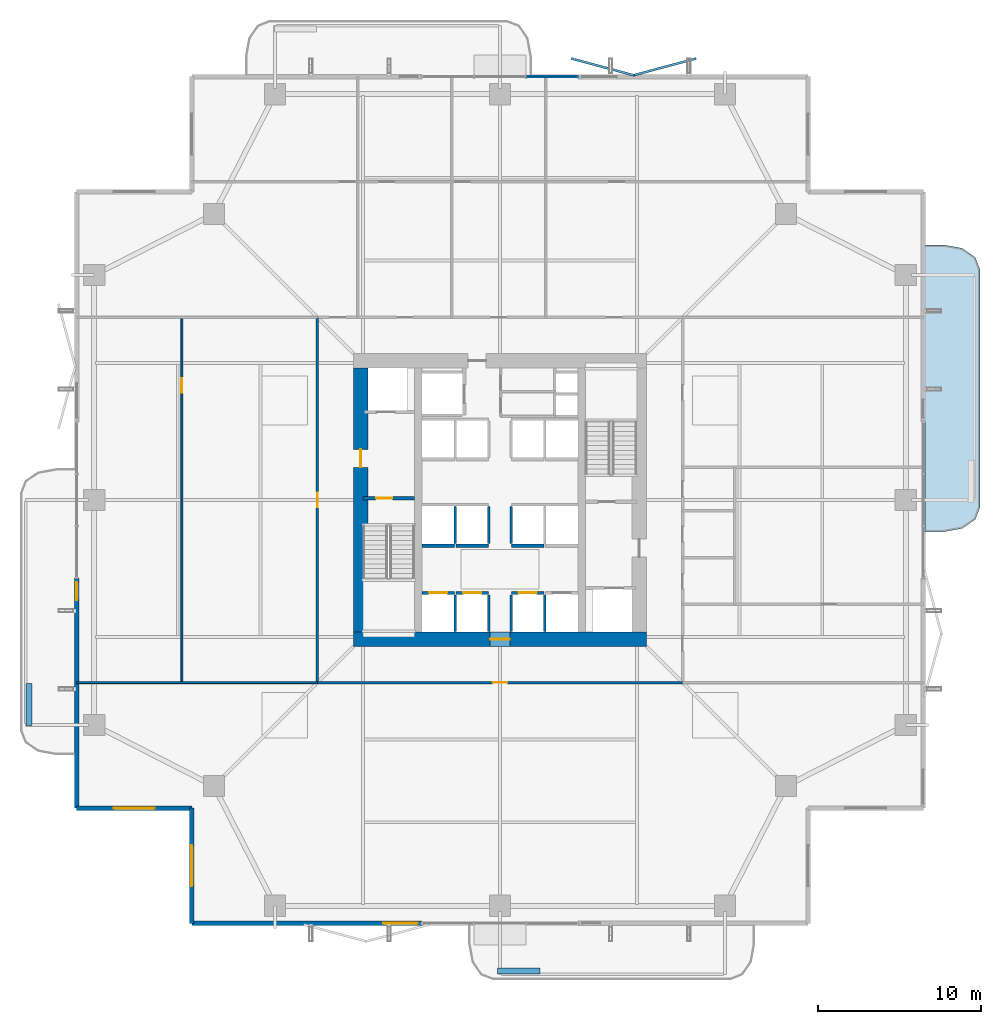
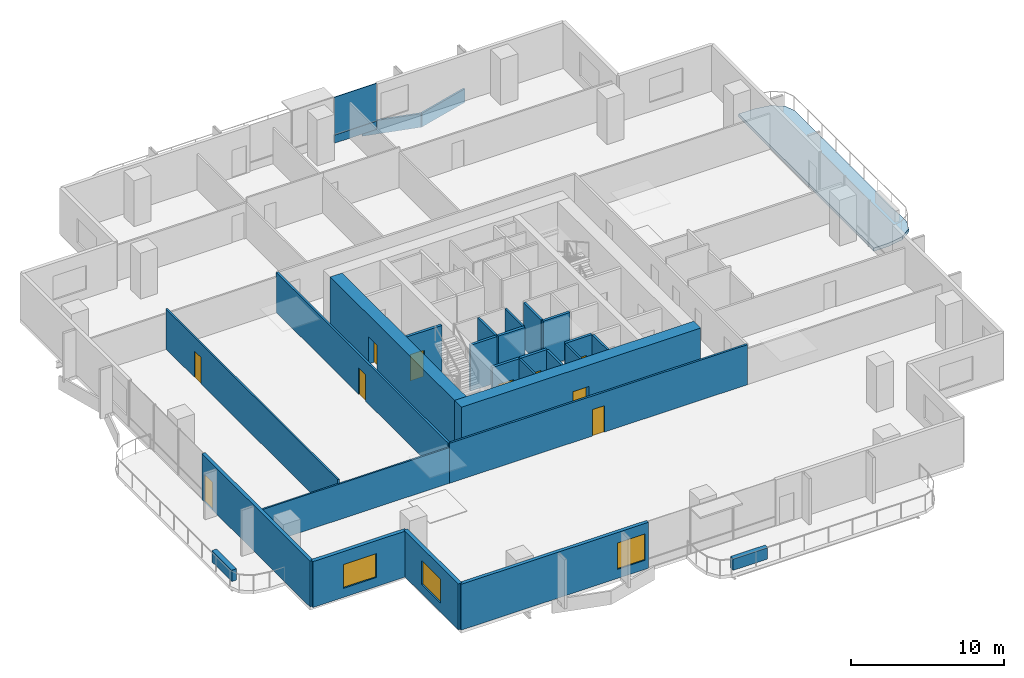
# One storey, part 17 of 24: 26 walls, 10 doors, 4 plates, 3 windows, 1 slab, 13 openings, 1 element without a shape of its own.
"""IFC4 building model written with IfcOpenShell, lengths in metres."""

from ifc_helpers import new_model, si_unit, direction, frame, frame_2d, origin, origin_2d, place, context, subcontext, project, spatial, polyline, rectangle, outline, extrude, material, layer, layer_set, type_object, element, fill, aggregate, save


model = new_model("IFC4")

# Units and contexts
model_context = context("Model", 3, precision=1e-05, world=origin(), true_north=direction((0.0, 1.0)))
body_context = subcontext(model_context, "Body", "Model", "MODEL_VIEW")
ifc_project = project(units=[si_unit("LENGTHUNIT", "METRE"), si_unit("AREAUNIT", "SQUARE_METRE"), si_unit("VOLUMEUNIT", "CUBIC_METRE"), si_unit("PLANEANGLEUNIT", "RADIAN"), si_unit("MASSUNIT", "GRAM", prefix="KILO")], contexts=[model_context])

# Site, building, storey
site_placement = place(None, origin())
site = spatial("IfcSite", under=ifc_project, at=site_placement, CompositionType="ELEMENT")
building_placement = place(site_placement, origin())
building = spatial("IfcBuilding", under=site, at=building_placement, Name="Belovzor Exchange Tower", CompositionType="ELEMENT")
storey_placement = place(building_placement, frame((0.0, 0.0, 129.0)))
storey = spatial("IfcBuildingStorey", under=building, at=storey_placement, Name="L31", CompositionType="ELEMENT", Elevation=129.0)

# Curtain wall, plate
ifc_material_1 = material(Name="Anodised Aluminium Framing", Category="aluminium")
ifc_layer_1 = layer(ifc_material_1, 0.179931640625)
ifc_layer_set_1 = layer_set([ifc_layer_1], Name="Anodised Aluminium Framing")
curtain_wall_type = type_object("IfcCurtainWallType", Name="Recessed Loggia Low-Iron Triple-Glazed Curtain Wall", PredefinedType="NOTDEFINED", material=ifc_layer_set_1)
curtain_wall_placement = place(storey_placement, origin())
curtain_wall = element("IfcCurtainWall", 1, at=curtain_wall_placement, inside=storey, type_object=curtain_wall_type, Name="CW3 Recessed Loggia Low-Iron Triple-Glazed Curtain Wall L31", PredefinedType="NOTDEFINED")
ifc_material_2 = material(Name="Solar-Control Triple Glazing", Category="glass")
ifc_layer_2 = layer(ifc_material_2, 0.0439453125)
ifc_layer_set_2 = layer_set([ifc_layer_2], Name="Solar-Control Triple Glazing")
plate_type_1 = type_object("IfcPlateType", Name="Insulated Solar Glazing Curtain Panel 44", PredefinedType="CURTAIN_PANEL", material=ifc_layer_set_2)
plate_1_placement = place(storey_placement, frame((32.0, 54.77001953125, 0.65185546875), z_axis=(0.0, 0.0, 1.0), x_axis=(1.0, 0.0, 0.0)))
plate_1 = element("IfcPlate", 2, at=plate_1_placement, type_object=plate_type_1, Name="GLZ-44 Glazed Curtain Panel 3", PredefinedType="CURTAIN_PANEL", context=body_context, shape_type="SweptSolid", body=[
    extrude(rectangle(XDim=3.18408203125, YDim=0.0439453125, at=origin_2d()), origin(), (0.0, 0.0, 1.0), 2.998046875),
])

# Plates
ifc_material_3 = material(Name="Extruded Architectural Terracotta", Category="masonry")
ifc_layer_3 = layer(ifc_material_3, 0.139892578125)
ifc_layer_set_3 = layer_set([ifc_layer_3], Name="Extruded Architectural Terracotta")
plate_type_2 = type_object("IfcPlateType", Name="Mid-Tower Folded Zigzag Terracotta Spandrel Louvre 120", PredefinedType="USERDEFINED", material=ifc_layer_set_3)
for number, where, z_axis, x_axis, name in (
    (3, (35.10009765625, 55.3701171875, -1.06494140625), (0.0, 0.0, 1.0), (0.965812803231, -0.259240485101, 0.0), "LVR-ZZ2 Zigzag Terracotta Spandrel Louvre L31 N2A"),
    (4, (38.89990234375, 55.3701171875, -1.06494140625), (0.0, 0.0, 1.0), (0.965812803231, 0.259240485101, 0.0), "LVR-ZZ2 Zigzag Terracotta Spandrel Louvre L31 N2B"),
):
    element("IfcPlate", number, at=place(storey_placement, frame(where, z_axis=z_axis, x_axis=x_axis)), inside=storey, type_object=plate_type_2, Name=name, ObjectType="SPANDREL_LOUVRE", PredefinedType="USERDEFINED", context=body_context, shape_type="SweptSolid", body=[
        extrude(rectangle(XDim=4.014892578125, YDim=0.139892578125, at=origin_2d()), origin(), (0.0, 0.0, 1.0), 1.080078125),
    ])

# Plate
ifc_material_4 = material(Name="Extruded Architectural Terracotta", Category="masonry")
ifc_layer_4 = layer(ifc_material_4, 0.090087890625)
ifc_layer_set_4 = layer_set([ifc_layer_4], Name="Extruded Architectural Terracotta")
plate_type_3 = type_object("IfcPlateType", Name="Terracotta Shadow-Box Spandrel Panel 90", PredefinedType="CURTAIN_PANEL", material=ifc_layer_set_4)
plate_2_placement = place(storey_placement, frame((32.0, 54.77001953125, 0.0), z_axis=(0.0, 0.0, 1.0), x_axis=(1.0, 0.0, 0.0)))
plate_2 = element("IfcPlate", 5, at=plate_2_placement, type_object=plate_type_3, Name="SPD-90 Spandrel Panel 3", PredefinedType="CURTAIN_PANEL", context=body_context, shape_type="SweptSolid", body=[
    extrude(rectangle(XDim=3.18408203125, YDim=0.090087890625, at=origin_2d()), origin(), (0.0, 0.0, 1.0), 0.64794921875),
])

aggregate(curtain_wall, [plate_2, plate_1])

# Slab
ifc_material_5 = material(Name="Concrete C40/50", Category="concrete")
ifc_layer_5 = layer(ifc_material_5, 0.25)
ifc_layer_set_5 = layer_set([ifc_layer_5], Name="Concrete C40/50")
slab_type = type_object("IfcSlabType", Name="Thermally Broken Planted Balcony Slab 250", PredefinedType="FLOOR", material=ifc_layer_set_5)
slab_placement = place(storey_placement, frame((0.0, 0.0, -0.25)))
element("IfcSlab", 6, at=slab_placement, inside=storey, type_object=slab_type, Name="SL-BAL220 Planted Balcony Loggia L31 East", PredefinedType="FLOOR", context=body_context, shape_type="SweptSolid", body=[
    extrude(outline(polyline([(54.885009765625, 26.85009765625), (56.050048828125, 26.85009765625), (57.14990234375, 27.051025390625), (57.955078125, 27.60009765625), (58.25, 28.35009765625), (58.25, 42.949951171875), (57.955078125, 43.699951171875), (57.14990234375, 44.2490234375), (56.050048828125, 44.449951171875), (54.885009765625, 44.449951171875), (54.885009765625, 26.85009765625)])), origin(), (0.0, 0.0, 1.0), 0.25),
])

# Wall
ifc_material_6 = material(Name="Acoustic Plasterboard on Galvanised Studs", Category="gypsum")
ifc_layer_6 = layer(ifc_material_6, 0.1201171875)
ifc_layer_set_6 = layer_set([ifc_layer_6], Name="Acoustic Plasterboard on Galvanised Studs")
wall_type_1 = type_object("IfcWallType", Name="Acoustic Double-Stud Partition Wall 120", PredefinedType="PARTITIONING", material=ifc_layer_set_6)
wall_1_placement = place(storey_placement, frame((2.830078125, 17.60009765625, 0.0), z_axis=(0.0, 0.0, 1.0), x_axis=(1.0, 0.0, 0.0)))
element("IfcWall", 7, at=wall_1_placement, inside=storey, type_object=wall_type_1, Name="W-P120 Partition Wall W-L31-END-SW", PredefinedType="PARTITIONING", context=body_context, shape_type="SweptSolid", body=[
    extrude(rectangle(XDim=14.77001953125, YDim=0.1201171875, at=frame_2d((7.385009765625, 0.0))), origin(), (0.0, 0.0, 1.0), 2.8349609375),
])

# Wall, opening, door
wall_2_placement = place(storey_placement, frame((9.280029296875, 17.60009765625, 0.0), z_axis=(0.0, 0.0, 1.0), x_axis=(0.0, 1.0, 0.0)))
wall_2 = element("IfcWall", 8, at=wall_2_placement, inside=storey, type_object=wall_type_1, Name="W-P120 Partition Wall W-L31-WHDIV-0", PredefinedType="PARTITIONING", context=body_context, shape_type="SweptSolid", body=[
    extrude(rectangle(XDim=22.39990234375, YDim=0.1201171875, at=frame_2d((11.199951171875, 0.0))), origin(), (0.0, 0.0, 1.0), 3.18505859375),
])
opening_1_placement = place(wall_2_placement, frame((17.782958984375, 0.0, 0.0)))
opening_1 = element("IfcOpeningElement", 9, at=opening_1_placement, cuts=wall_2, Name="Opening D-INT-090", PredefinedType="OPENING", context=body_context, shape_type="SweptSolid", body=[
    extrude(rectangle(XDim=0.89990234375, YDim=2.10009765625, at=frame_2d((0.449951171875, 1.050048828125))), frame((0.0, 0.070068359375, 0.0), z_axis=(0.0, -1.0, 0.0), x_axis=(1.0, 0.0, 0.0)), (0.0, 0.0, 1.0), 0.14013671875),
])
ifc_material_7 = material(Name="Veneered Hardwood Acoustic Leaf", Category="wood")
door_type_1 = type_object("IfcDoorType", Name="Trading Suite Acoustic Single Door 900x2100", OperationType="NOTDEFINED", PredefinedType="DOOR", material=ifc_material_7)
door_1_placement = place(opening_1_placement, origin())
door_1 = element("IfcDoor", 10, at=door_1_placement, inside=storey, type_object=door_type_1, Name="D-INT-090 Trading Suite Acoustic Single Door 900x2100", OperationType="SINGLE_SWING_LEFT", OverallHeight=2.10009765625, OverallWidth=0.89990234375, PredefinedType="DOOR", context=body_context, shape_type="SweptSolid", body=[
    extrude(rectangle(XDim=0.89990234375, YDim=2.10009765625, at=frame_2d((0.449951171875, 1.050048828125))), frame((0.0, 0.02490234375, 0.0), z_axis=(0.0, -1.0, 0.0), x_axis=(1.0, 0.0, 0.0)), (0.0, 0.0, 1.0), 0.050048828125),
])
fill(opening_1, door_1)

ifc_material_8 = material(Name="Fire-Rated Gypsum Block and Mineral Wool", Category="gypsum")
ifc_layer_7 = layer(ifc_material_8, 0.14990234375)
ifc_layer_set_7 = layer_set([ifc_layer_7], Name="Fire-Rated Gypsum Block and Mineral Wool")
wall_type_2 = type_object("IfcWallType", Name="Fire-Rated Gypsum Block Corridor Wall 150", PredefinedType="PARTITIONING", material=ifc_layer_set_7)
wall_3_placement = place(storey_placement, frame((17.60009765625, 17.60009765625, 0.0), z_axis=(0.0, 0.0, 1.0), x_axis=(1.0, 0.0, 0.0)))
wall_3 = element("IfcWall", 11, at=wall_3_placement, inside=storey, type_object=wall_type_2, Name="W-P150 Partition Wall W-L31-CS", PredefinedType="PARTITIONING", context=body_context, shape_type="SweptSolid", body=[
    extrude(rectangle(XDim=22.39990234375, YDim=0.14990234375, at=frame_2d((11.199951171875, 0.0))), origin(), (0.0, 0.0, 1.0), 3.18505859375),
])
opening_2_placement = place(wall_3_placement, frame((10.75, 0.0, 0.0)))
opening_2 = element("IfcOpeningElement", 12, at=opening_2_placement, cuts=wall_3, Name="Opening D-INT-090", PredefinedType="OPENING", context=body_context, shape_type="SweptSolid", body=[
    extrude(rectangle(XDim=0.89990234375, YDim=2.10009765625, at=frame_2d((0.449951171875, 1.050048828125))), frame((0.0, 0.0849609375, 0.0), z_axis=(0.0, -1.0, 0.0), x_axis=(1.0, 0.0, 0.0)), (0.0, 0.0, 1.0), 0.169921875),
])
door_2_placement = place(opening_2_placement, origin())
door_2 = element("IfcDoor", 13, at=door_2_placement, inside=storey, type_object=door_type_1, Name="D-INT-090 Trading Suite Acoustic Single Door 900x2100", OperationType="SINGLE_SWING_LEFT", OverallHeight=2.10009765625, OverallWidth=0.89990234375, PredefinedType="DOOR", context=body_context, shape_type="SweptSolid", body=[
    extrude(rectangle(XDim=0.89990234375, YDim=2.10009765625, at=frame_2d((0.449951171875, 1.050048828125))), frame((0.0, 0.02490234375, 0.0), z_axis=(0.0, -1.0, 0.0), x_axis=(1.0, 0.0, 0.0)), (0.0, 0.0, 1.0), 0.050048828125),
])
fill(opening_2, door_2)

wall_4_placement = place(storey_placement, frame((17.60009765625, 17.60009765625, 0.0), z_axis=(0.0, 0.0, 1.0), x_axis=(0.0, 1.0, 0.0)))
wall_4 = element("IfcWall", 14, at=wall_4_placement, inside=storey, type_object=wall_type_2, Name="W-P150 Partition Wall W-L31-CW", PredefinedType="PARTITIONING", context=body_context, shape_type="SweptSolid", body=[
    extrude(rectangle(XDim=22.39990234375, YDim=0.14990234375, at=frame_2d((11.199951171875, 0.0))), origin(), (0.0, 0.0, 1.0), 3.18505859375),
])
opening_3_placement = place(wall_4_placement, frame((10.75, 0.0, 0.0)))
opening_3 = element("IfcOpeningElement", 15, at=opening_3_placement, cuts=wall_4, Name="Opening D-INT-090", PredefinedType="OPENING", context=body_context, shape_type="SweptSolid", body=[
    extrude(rectangle(XDim=0.89990234375, YDim=2.10009765625, at=frame_2d((0.449951171875, 1.050048828125))), frame((0.0, 0.0849609375, 0.0), z_axis=(0.0, -1.0, 0.0), x_axis=(1.0, 0.0, 0.0)), (0.0, 0.0, 1.0), 0.169921875),
])
door_3_placement = place(opening_3_placement, origin())
door_3 = element("IfcDoor", 16, at=door_3_placement, inside=storey, type_object=door_type_1, Name="D-INT-090 Trading Suite Acoustic Single Door 900x2100", OperationType="SINGLE_SWING_LEFT", OverallHeight=2.10009765625, OverallWidth=0.89990234375, PredefinedType="DOOR", context=body_context, shape_type="SweptSolid", body=[
    extrude(rectangle(XDim=0.89990234375, YDim=2.10009765625, at=frame_2d((0.449951171875, 1.050048828125))), frame((0.0, 0.02490234375, 0.0), z_axis=(0.0, -1.0, 0.0), x_axis=(1.0, 0.0, 0.0)), (0.0, 0.0, 1.0), 0.050048828125),
])
fill(opening_3, door_3)

# Wall, opening, window
ifc_material_9 = material(Name="Precast concrete C40/50", Category="concrete")
ifc_layer_8 = layer(ifc_material_9, 0.280029296875)
ifc_layer_set_8 = layer_set([ifc_layer_8], Name="Precast concrete C40/50")
wall_type_3 = type_object("IfcWallType", Name="Precast Concrete Notched Corner Frame Wall 280", PredefinedType="SOLIDWALL", material=ifc_layer_set_8)
wall_5_placement = place(storey_placement, frame((9.89990234375, 2.830078125, 0.0), z_axis=(0.0, 0.0, 1.0), x_axis=(0.0, 1.0, 0.0)))
wall_5 = element("IfcWall", 17, at=wall_5_placement, inside=storey, type_object=wall_type_3, Name="W-CRN280 Precast Concrete Notched Corner Frame Wall 280 L31", PredefinedType="SOLIDWALL", context=body_context, shape_type="SweptSolid", body=[
    extrude(rectangle(XDim=7.06982421875, YDim=0.280029296875, at=frame_2d((3.534912109375, 0.0))), origin(), (0.0, 0.0, 1.0), 3.64990234375),
])
opening_4_placement = place(wall_5_placement, frame((2.284912109375, 0.0, 0.719970703125)))
opening_4 = element("IfcOpeningElement", 18, at=opening_4_placement, cuts=wall_5, Name="Opening WN-CRN250", PredefinedType="OPENING", context=body_context, shape_type="SweptSolid", body=[
    extrude(rectangle(XDim=2.5, YDim=1.89990234375, at=frame_2d((1.25, 0.949951171875))), frame((0.0, 0.14990234375, 0.0), z_axis=(0.0, -1.0, 0.0), x_axis=(1.0, 0.0, 0.0)), (0.0, 0.0, 1.0), 0.300048828125),
])
ifc_material_10 = material(Name="Thermally Broken Aluminium and Triple Glazing", Category="aluminium")
window_type_1 = type_object("IfcWindowType", Name="Streamline Moderne Corner Wrap Ribbon Window 2500x1900", PartitioningType="SINGLE_PANEL", PredefinedType="WINDOW", material=ifc_material_10)
window_1_placement = place(opening_4_placement, origin())
window_1 = element("IfcWindow", 19, at=window_1_placement, inside=storey, type_object=window_type_1, Name="WN-CRN250 Streamline Moderne Corner Wrap Ribbon Window 2500x1900", OverallHeight=1.89990234375, OverallWidth=2.5, PartitioningType="SINGLE_PANEL", PredefinedType="WINDOW", context=body_context, shape_type="SweptSolid", body=[
    extrude(rectangle(XDim=2.5, YDim=1.89990234375, at=frame_2d((1.25, 0.949951171875))), frame((0.0, 0.030029296875, 0.0), z_axis=(0.0, -1.0, 0.0), x_axis=(1.0, 0.0, 0.0)), (0.0, 0.0, 1.0), 0.06005859375),
])
fill(opening_4, window_1)

wall_6_placement = place(storey_placement, frame((9.89990234375, 9.89990234375, 0.0), z_axis=(0.0, 0.0, 1.0), x_axis=(-1.0, 0.0, 0.0)))
wall_6 = element("IfcWall", 20, at=wall_6_placement, inside=storey, type_object=wall_type_3, Name="W-CRN280 Precast Concrete Notched Corner Frame Wall 280 L31", PredefinedType="SOLIDWALL", context=body_context, shape_type="SweptSolid", body=[
    extrude(rectangle(XDim=7.06982421875, YDim=0.280029296875, at=frame_2d((3.534912109375, 0.0))), origin(), (0.0, 0.0, 1.0), 3.64990234375),
])
opening_5_placement = place(wall_6_placement, frame((2.284912109375, 0.0, 0.719970703125)))
opening_5 = element("IfcOpeningElement", 21, at=opening_5_placement, cuts=wall_6, Name="Opening WN-CRN250", PredefinedType="OPENING", context=body_context, shape_type="SweptSolid", body=[
    extrude(rectangle(XDim=2.5, YDim=1.89990234375, at=frame_2d((1.25, 0.949951171875))), frame((0.0, 0.14990234375, 0.0), z_axis=(0.0, -1.0, 0.0), x_axis=(1.0, 0.0, 0.0)), (0.0, 0.0, 1.0), 0.300048828125),
])
window_2_placement = place(opening_5_placement, origin())
window_2 = element("IfcWindow", 22, at=window_2_placement, inside=storey, type_object=window_type_1, Name="WN-CRN250 Streamline Moderne Corner Wrap Ribbon Window 2500x1900", OverallHeight=1.89990234375, OverallWidth=2.5, PartitioningType="SINGLE_PANEL", PredefinedType="WINDOW", context=body_context, shape_type="SweptSolid", body=[
    extrude(rectangle(XDim=2.5, YDim=1.89990234375, at=frame_2d((1.25, 0.949951171875))), frame((0.0, 0.030029296875, 0.0), z_axis=(0.0, -1.0, 0.0), x_axis=(1.0, 0.0, 0.0)), (0.0, 0.0, 1.0), 0.06005859375),
])
fill(opening_5, window_2)

ifc_material_11 = material(Name="Precast concrete C40/50", Category="concrete")
ifc_layer_9 = layer(ifc_material_11, 0.260009765625)
ifc_layer_set_9 = layer_set([ifc_layer_9], Name="Precast concrete C40/50")
wall_type_4 = type_object("IfcWallType", Name="Precast Concrete Perimeter Loggia Frame Wall 260", PredefinedType="SOLIDWALL", material=ifc_layer_set_9)
wall_7_placement = place(storey_placement, frame((24.0, 2.830078125, 0.0), z_axis=(0.0, 0.0, 1.0), x_axis=(-1.0, 0.0, 0.0)))
wall_7 = element("IfcWall", 23, at=wall_7_placement, inside=storey, type_object=wall_type_4, Name="W-EXT260 Precast Concrete Perimeter Loggia Frame Wall 260 L31", PredefinedType="SOLIDWALL", context=body_context, shape_type="SweptSolid", body=[
    extrude(rectangle(XDim=14.10009765625, YDim=0.260009765625, at=frame_2d((7.050048828125, 0.0))), origin(), (0.0, 0.0, 1.0), 3.64990234375),
])
opening_6_placement = place(wall_7_placement, frame((0.25, 0.0, 0.719970703125)))
opening_6 = element("IfcOpeningElement", 24, at=opening_6_placement, cuts=wall_7, Name="Opening WN-LOG210", PredefinedType="OPENING", context=body_context, shape_type="SweptSolid", body=[
    extrude(rectangle(XDim=2.10009765625, YDim=2.10009765625, at=frame_2d((1.050048828125, 1.050048828125))), frame((0.0, 0.139892578125, 0.0), z_axis=(0.0, -1.0, 0.0), x_axis=(1.0, 0.0, 0.0)), (0.0, 0.0, 1.0), 0.280029296875),
])
ifc_material_12 = material(Name="Thermally Broken Aluminium and Triple Glazing", Category="aluminium")
window_type_2 = type_object("IfcWindowType", Name="Triple-Glazed Loggia Ribbon Window 2100x2100", PartitioningType="SINGLE_PANEL", PredefinedType="WINDOW", material=ifc_material_12)
window_3_placement = place(opening_6_placement, origin())
window_3 = element("IfcWindow", 25, at=window_3_placement, inside=storey, type_object=window_type_2, Name="WN-LOG210 Triple-Glazed Loggia Ribbon Window 2100x2100", OverallHeight=2.10009765625, OverallWidth=2.10009765625, PartitioningType="SINGLE_PANEL", PredefinedType="WINDOW", context=body_context, shape_type="SweptSolid", body=[
    extrude(rectangle(XDim=2.10009765625, YDim=2.10009765625, at=frame_2d((1.050048828125, 1.050048828125))), frame((0.0, 0.030029296875, 0.0), z_axis=(0.0, -1.0, 0.0), x_axis=(1.0, 0.0, 0.0)), (0.0, 0.0, 1.0), 0.06005859375),
])
fill(opening_6, window_3)

# Wall, opening, door
wall_8_placement = place(storey_placement, frame((2.830078125, 9.89990234375, 0.0), z_axis=(0.0, 0.0, 1.0), x_axis=(0.0, 1.0, 0.0)))
wall_8 = element("IfcWall", 26, at=wall_8_placement, inside=storey, type_object=wall_type_4, Name="W-EXT260 Precast Concrete Perimeter Loggia Frame Wall 260 L31", PredefinedType="SOLIDWALL", context=body_context, shape_type="SweptSolid", body=[
    extrude(rectangle(XDim=14.10009765625, YDim=0.260009765625, at=frame_2d((7.050048828125, 0.0))), origin(), (0.0, 0.0, 1.0), 3.64990234375),
])
opening_7_placement = place(wall_8_placement, frame((12.75, 0.0, 0.0)))
opening_7 = element("IfcOpeningElement", 27, at=opening_7_placement, cuts=wall_8, Name="Opening D-BAL110", PredefinedType="OPENING", context=body_context, shape_type="SweptSolid", body=[
    extrude(rectangle(XDim=1.10009765625, YDim=2.199951171875, at=frame_2d((0.550048828125, 1.10009765625))), frame((0.0, 0.139892578125, 0.0), z_axis=(0.0, -1.0, 0.0), x_axis=(1.0, 0.0, 0.0)), (0.0, 0.0, 1.0), 0.280029296875),
])
ifc_material_13 = material(Name="Thermally Broken Anodised Aluminium and Laminated Glass", Category="aluminium")
door_type_2 = type_object("IfcDoorType", Name="Planted Loggia Terrace Glazed Door 1100x2200", OperationType="SINGLE_SWING_LEFT", PredefinedType="DOOR", material=ifc_material_13)
door_4_placement = place(opening_7_placement, origin())
door_4 = element("IfcDoor", 28, at=door_4_placement, inside=storey, type_object=door_type_2, Name="D-BAL110 Balcony Terrace Door L31 W", OperationType="SINGLE_SWING_RIGHT", OverallHeight=2.199951171875, OverallWidth=1.10009765625, PredefinedType="DOOR", context=body_context, shape_type="SweptSolid", body=[
    extrude(rectangle(XDim=1.10009765625, YDim=2.199951171875, at=frame_2d((0.550048828125, 1.10009765625))), frame((0.0, 0.02490234375, 0.0), z_axis=(0.0, -1.0, 0.0), x_axis=(1.0, 0.0, 0.0)), (0.0, 0.0, 1.0), 0.050048828125),
])
fill(opening_7, door_4)

# Walls
ifc_material_14 = material(Name="Precast concrete C40/50", Category="concrete")
ifc_layer_10 = layer(ifc_material_14, 0.35009765625)
ifc_layer_set_10 = layer_set([ifc_layer_10], Name="Precast concrete C40/50")
wall_type_5 = type_object("IfcWallType", Name="Precast Concrete Structural Tree Planter Trough 350", PredefinedType="PARAPET", material=ifc_layer_set_10)
for number, where, z_axis, x_axis, name in (
    (29, (28.64990234375, -0.10009765625, 0.0), (0.0, 0.0, 1.0), (1.0, 0.0, 0.0), "PT-350 Precast Concrete Structural Tree Planter Trough 350 L31"),
    (30, (-0.10009765625, 14.949951171875, 0.0), (0.0, 0.0, 1.0), (0.0, 1.0, 0.0), "PT-350 Precast Concrete Structural Tree Planter Trough 350 L31"),
):
    element("IfcWall", number, at=place(storey_placement, frame(where, z_axis=z_axis, x_axis=x_axis)), inside=storey, type_object=wall_type_5, Name=name, PredefinedType="PARAPET", context=body_context, shape_type="SweptSolid", body=[
        extrude(rectangle(XDim=2.60009765625, YDim=0.35009765625, at=frame_2d((1.300048828125, 0.0))), origin(), (0.0, 0.0, 1.0), 0.89990234375),
    ])
ifc_material_15 = material(Name="Concrete C50/60", Category="concrete")
ifc_layer_11 = layer(ifc_material_15, 0.14990234375)
ifc_layer_set_11 = layer_set([ifc_layer_11], Name="Concrete C50/60")
wall_type_6 = type_object("IfcWallType", Name="Reinforced Concrete Core Riser Shear Wall 150", PredefinedType="SHEAR", material=ifc_layer_set_11)
for number, where, z_axis, x_axis, name in (
    (31, (26.050048828125, 20.719970703125, 0.0), (0.0, 0.0, 1.0), (0.0, 1.0, 0.0), "W-C150S Core Shaft Wall W-SHD-L31-PLL-1"),
    (32, (28.10009765625, 20.719970703125, 0.0), (0.0, 0.0, 1.0), (0.0, 1.0, 0.0), "W-C150S Core Shaft Wall W-SHD-L31-PLL-2"),
    (33, (29.5, 20.719970703125, 0.0), (0.0, 0.0, 1.0), (0.0, 1.0, 0.0), "W-C150S Core Shaft Wall W-SHD-L31-PLL-3"),
    (34, (31.550048828125, 20.719970703125, 0.0), (0.0, 0.0, 1.0), (0.0, 1.0, 0.0), "W-C150S Core Shaft Wall W-SHD-L31-PLL-4"),
):
    element("IfcWall", number, at=place(storey_placement, frame(where, z_axis=z_axis, x_axis=x_axis)), inside=storey, type_object=wall_type_6, Name=name, PredefinedType="SHEAR", context=body_context, shape_type="SweptSolid", body=[
        extrude(rectangle(XDim=2.260009765625, YDim=0.14990234375, at=frame_2d((1.1298828125, 0.0))), origin(), (0.0, 0.0, 1.0), 3.64990234375),
    ])
for number, where, z_axis, x_axis, name in (
    (35, (26.050048828125, 26.1201171875, 0.0), (0.0, 0.0, 1.0), (0.0, 1.0, 0.0), "W-C150S Core Shaft Wall W-SHD-L31-PLM-1"),
    (36, (28.10009765625, 26.1201171875, 0.0), (0.0, 0.0, 1.0), (0.0, 1.0, 0.0), "W-C150S Core Shaft Wall W-SHD-L31-PLM-2"),
    (37, (29.5, 26.1201171875, 0.0), (0.0, 0.0, 1.0), (0.0, 1.0, 0.0), "W-C150S Core Shaft Wall W-SHD-L31-PLM-3"),
):
    element("IfcWall", number, at=place(storey_placement, frame(where, z_axis=z_axis, x_axis=x_axis)), inside=storey, type_object=wall_type_6, Name=name, PredefinedType="SHEAR", context=body_context, shape_type="SweptSolid", body=[
        extrude(rectangle(XDim=2.27978515625, YDim=0.14990234375, at=frame_2d((1.139892578125, 0.0))), origin(), (0.0, 0.0, 1.0), 3.64990234375),
    ])

# Wall, opening, door
ifc_material_16 = material(Name="Concrete C50/60", Category="concrete")
ifc_layer_12 = layer(ifc_material_16, 0.199951171875)
ifc_layer_set_12 = layer_set([ifc_layer_12], Name="Concrete C50/60")
wall_type_7 = type_object("IfcWallType", Name="Reinforced Concrete Core Shaft Shear Wall 200", PredefinedType="SHEAR", material=ifc_layer_set_12)
wall_9_placement = place(storey_placement, frame((20.39990234375, 28.89990234375, 0.0), z_axis=(0.0, 0.0, 1.0), x_axis=(1.0, 0.0, 0.0)))
wall_9 = element("IfcWall", 38, at=wall_9_placement, inside=storey, type_object=wall_type_7, Name="W-C200S Core Shaft Wall W-CORE-L31-FFLW1", PredefinedType="SHEAR", context=body_context, shape_type="SweptSolid", body=[
    extrude(rectangle(XDim=3.150146484375, YDim=0.199951171875, at=frame_2d((1.5751953125, 0.0))), origin(), (0.0, 0.0, 1.0), 3.64990234375),
])
opening_8_placement = place(wall_9_placement, frame((0.800048828125, 0.0, 0.0)))
opening_8 = element("IfcOpeningElement", 39, at=opening_8_placement, cuts=wall_9, Name="Opening D-FD90-100", PredefinedType="OPENING", context=body_context, shape_type="SweptSolid", body=[
    extrude(rectangle(XDim=1.0, YDim=2.10009765625, at=frame_2d((0.5, 1.050048828125))), frame((0.0, 0.10986328125, 0.0), z_axis=(0.0, -1.0, 0.0), x_axis=(1.0, 0.0, 0.0)), (0.0, 0.0, 1.0), 0.219970703125),
])
ifc_material_17 = material(Name="Fire-Rated Galvanised Steel Leaf", Category="steel")
door_type_3 = type_object("IfcDoorType", Name="Protected Stairwell Single Fire Door 1000x2100", OperationType="NOTDEFINED", PredefinedType="DOOR", material=ifc_material_17)
door_5_placement = place(opening_8_placement, origin())
door_5 = element("IfcDoor", 40, at=door_5_placement, inside=storey, type_object=door_type_3, Name="D-FD90-100 Protected Stairwell Single Fire Door 1000x2100", OperationType="SINGLE_SWING_RIGHT", OverallHeight=2.10009765625, OverallWidth=1.0, PredefinedType="DOOR", context=body_context, shape_type="SweptSolid", body=[
    extrude(rectangle(XDim=1.0, YDim=2.10009765625, at=frame_2d((0.5, 1.050048828125))), frame((0.0, 0.02490234375, 0.0), z_axis=(0.0, -1.0, 0.0), x_axis=(1.0, 0.0, 0.0)), (0.0, 0.0, 1.0), 0.050048828125),
])
fill(opening_8, door_5)

wall_10_placement = place(storey_placement, frame((24.0, 23.10009765625, 0.0), z_axis=(0.0, 0.0, 1.0), x_axis=(1.0, 0.0, 0.0)))
wall_10 = element("IfcWall", 41, at=wall_10_placement, inside=storey, type_object=wall_type_7, Name="W-C200S Core Shaft Wall W-SH-L31-PL-L1", PredefinedType="SHEAR", context=body_context, shape_type="SweptSolid", body=[
    extrude(rectangle(XDim=2.0, YDim=0.199951171875, at=frame_2d((1.0, 0.0))), origin(), (0.0, 0.0, 1.0), 3.64990234375),
])
opening_9_placement = place(wall_10_placement, frame((0.449951171875, 0.0, 0.0)))
opening_9 = element("IfcOpeningElement", 42, at=opening_9_placement, cuts=wall_10, Name="Opening LD-110", PredefinedType="OPENING", context=body_context, shape_type="SweptSolid", body=[
    extrude(rectangle(XDim=1.10009765625, YDim=2.14990234375, at=frame_2d((0.550048828125, 1.074951171875))), frame((0.0, 0.10986328125, 0.0), z_axis=(0.0, -1.0, 0.0), x_axis=(1.0, 0.0, 0.0)), (0.0, 0.0, 1.0), 0.219970703125),
])
ifc_material_18 = material(Name="Stainless Steel Grade 304", Category="steel")
door_type_4 = type_object("IfcDoorType", Name="Automated Stainless Steel Lift Landing Door 1100x2150", OperationType="SLIDING_TO_RIGHT", PredefinedType="DOOR", material=ifc_material_18)
door_6_placement = place(opening_9_placement, origin())
door_6 = element("IfcDoor", 43, at=door_6_placement, inside=storey, type_object=door_type_4, Name="LD-110 Automated Stainless Steel Lift Landing Door 1100x2150", OperationType="SLIDING_TO_RIGHT", OverallHeight=2.14990234375, OverallWidth=1.10009765625, PredefinedType="DOOR", context=body_context, shape_type="SweptSolid", body=[
    extrude(rectangle(XDim=1.10009765625, YDim=2.14990234375, at=frame_2d((0.550048828125, 1.074951171875))), frame((0.0, 0.02490234375, 0.0), z_axis=(0.0, -1.0, 0.0), x_axis=(1.0, 0.0, 0.0)), (0.0, 0.0, 1.0), 0.050048828125),
])
fill(opening_9, door_6)

wall_11_placement = place(storey_placement, frame((26.10009765625, 23.10009765625, 0.0), z_axis=(0.0, 0.0, 1.0), x_axis=(1.0, 0.0, 0.0)))
wall_11 = element("IfcWall", 44, at=wall_11_placement, inside=storey, type_object=wall_type_7, Name="W-C200S Core Shaft Wall W-SH-L31-PL-L2", PredefinedType="SHEAR", context=body_context, shape_type="SweptSolid", body=[
    extrude(rectangle(XDim=2.0, YDim=0.199951171875, at=frame_2d((1.0, 0.0))), origin(), (0.0, 0.0, 1.0), 3.64990234375),
])
opening_10_placement = place(wall_11_placement, frame((0.449951171875, 0.0, 0.0)))
opening_10 = element("IfcOpeningElement", 45, at=opening_10_placement, cuts=wall_11, Name="Opening LD-110", PredefinedType="OPENING", context=body_context, shape_type="SweptSolid", body=[
    extrude(rectangle(XDim=1.10009765625, YDim=2.14990234375, at=frame_2d((0.550048828125, 1.074951171875))), frame((0.0, 0.10986328125, 0.0), z_axis=(0.0, -1.0, 0.0), x_axis=(1.0, 0.0, 0.0)), (0.0, 0.0, 1.0), 0.219970703125),
])
door_7_placement = place(opening_10_placement, origin())
door_7 = element("IfcDoor", 46, at=door_7_placement, inside=storey, type_object=door_type_4, Name="LD-110 Automated Stainless Steel Lift Landing Door 1100x2150", OperationType="SLIDING_TO_RIGHT", OverallHeight=2.14990234375, OverallWidth=1.10009765625, PredefinedType="DOOR", context=body_context, shape_type="SweptSolid", body=[
    extrude(rectangle(XDim=1.10009765625, YDim=2.14990234375, at=frame_2d((0.550048828125, 1.074951171875))), frame((0.0, 0.02490234375, 0.0), z_axis=(0.0, -1.0, 0.0), x_axis=(1.0, 0.0, 0.0)), (0.0, 0.0, 1.0), 0.050048828125),
])
fill(opening_10, door_7)

wall_12_placement = place(storey_placement, frame((29.5, 23.10009765625, 0.0), z_axis=(0.0, 0.0, 1.0), x_axis=(1.0, 0.0, 0.0)))
wall_12 = element("IfcWall", 47, at=wall_12_placement, inside=storey, type_object=wall_type_7, Name="W-C200S Core Shaft Wall W-SH-L31-PL-L3", PredefinedType="SHEAR", context=body_context, shape_type="SweptSolid", body=[
    extrude(rectangle(XDim=2.0, YDim=0.199951171875, at=frame_2d((1.0, 0.0))), origin(), (0.0, 0.0, 1.0), 3.64990234375),
])
opening_11_placement = place(wall_12_placement, frame((0.449951171875, 0.0, 0.0)))
opening_11 = element("IfcOpeningElement", 48, at=opening_11_placement, cuts=wall_12, Name="Opening LD-110", PredefinedType="OPENING", context=body_context, shape_type="SweptSolid", body=[
    extrude(rectangle(XDim=1.10009765625, YDim=2.14990234375, at=frame_2d((0.550048828125, 1.074951171875))), frame((0.0, 0.10986328125, 0.0), z_axis=(0.0, -1.0, 0.0), x_axis=(1.0, 0.0, 0.0)), (0.0, 0.0, 1.0), 0.219970703125),
])
door_8_placement = place(opening_11_placement, origin())
door_8 = element("IfcDoor", 49, at=door_8_placement, inside=storey, type_object=door_type_4, Name="LD-110 Automated Stainless Steel Lift Landing Door 1100x2150", OperationType="SLIDING_TO_RIGHT", OverallHeight=2.14990234375, OverallWidth=1.10009765625, PredefinedType="DOOR", context=body_context, shape_type="SweptSolid", body=[
    extrude(rectangle(XDim=1.10009765625, YDim=2.14990234375, at=frame_2d((0.550048828125, 1.074951171875))), frame((0.0, 0.02490234375, 0.0), z_axis=(0.0, -1.0, 0.0), x_axis=(1.0, 0.0, 0.0)), (0.0, 0.0, 1.0), 0.050048828125),
])
fill(opening_11, door_8)

# Walls
for number, where, z_axis, x_axis, name in (
    (50, (24.0, 26.0, 0.0), (0.0, 0.0, 1.0), (1.0, 0.0, 0.0), "W-C200S Core Shaft Wall W-SH-L31-PL-M1"),
    (51, (26.10009765625, 26.0, 0.0), (0.0, 0.0, 1.0), (1.0, 0.0, 0.0), "W-C200S Core Shaft Wall W-SH-L31-PL-M2"),
    (52, (29.5, 26.0, 0.0), (0.0, 0.0, 1.0), (1.0, 0.0, 0.0), "W-C200S Core Shaft Wall W-SH-L31-PL-M3"),
):
    element("IfcWall", number, at=place(storey_placement, frame(where, z_axis=z_axis, x_axis=x_axis)), inside=storey, type_object=wall_type_7, Name=name, PredefinedType="SHEAR", context=body_context, shape_type="SweptSolid", body=[
        extrude(rectangle(XDim=2.0, YDim=0.199951171875, at=frame_2d((1.0, 0.0))), origin(), (0.0, 0.0, 1.0), 3.64990234375),
    ])

# Wall, opening, door
ifc_material_19 = material(Name="Concrete C60/75", Category="concrete")
ifc_layer_13 = layer(ifc_material_19, 0.89990234375)
ifc_layer_set_13 = layer_set([ifc_layer_13], Name="Concrete C60/75")
wall_type_8 = type_object("IfcWallType", Name="Reinforced Concrete Core Shear Wall 900", PredefinedType="SHEAR", material=ifc_layer_set_13)
wall_13_placement = place(storey_placement, frame((19.800048828125, 20.25, 0.0), z_axis=(0.0, 0.0, 1.0), x_axis=(1.0, 0.0, 0.0)))
wall_13 = element("IfcWall", 53, at=wall_13_placement, inside=storey, type_object=wall_type_8, Name="CW-S090 Core Shear Wall L31 S", PredefinedType="SHEAR", context=body_context, shape_type="SweptSolid", body=[
    extrude(rectangle(XDim=18.0, YDim=0.89990234375, at=frame_2d((9.0, 0.0))), origin(), (0.0, 0.0, 1.0), 3.89990234375),
])
opening_12_placement = place(wall_13_placement, frame((8.39990234375, 0.0, 0.0)))
opening_12 = element("IfcOpeningElement", 54, at=opening_12_placement, cuts=wall_13, Name="Opening D-FD90-120", PredefinedType="OPENING", context=body_context, shape_type="SweptSolid", body=[
    extrude(rectangle(XDim=1.199951171875, YDim=2.199951171875, at=frame_2d((0.60009765625, 1.10009765625))), frame((0.0, 0.4599609375, 0.0), z_axis=(0.0, -1.0, 0.0), x_axis=(1.0, 0.0, 0.0)), (0.0, 0.0, 1.0), 0.919921875),
])
ifc_material_20 = material(Name="Fire-Rated Galvanised Steel Leaf", Category="steel")
door_type_5 = type_object("IfcDoorType", Name="Heavy Plant & Foyer Fire Door 1200x2200", OperationType="NOTDEFINED", PredefinedType="DOOR", material=ifc_material_20)
door_9_placement = place(opening_12_placement, origin())
door_9 = element("IfcDoor", 55, at=door_9_placement, inside=storey, type_object=door_type_5, Name="D-FD90-120 Heavy Plant & Foyer Fire Door 1200x2200", OperationType="SINGLE_SWING_LEFT", OverallHeight=2.199951171875, OverallWidth=1.199951171875, PredefinedType="DOOR", context=body_context, shape_type="SweptSolid", body=[
    extrude(rectangle(XDim=1.199951171875, YDim=2.199951171875, at=frame_2d((0.60009765625, 1.10009765625))), frame((0.0, 0.02490234375, 0.0), z_axis=(0.0, -1.0, 0.0), x_axis=(1.0, 0.0, 0.0)), (0.0, 0.0, 1.0), 0.050048828125),
])
fill(opening_12, door_9)

wall_14_placement = place(storey_placement, frame((20.25, 20.699951171875, 0.0), z_axis=(0.0, 0.0, 1.0), x_axis=(0.0, 1.0, 0.0)))
wall_14 = element("IfcWall", 56, at=wall_14_placement, inside=storey, type_object=wall_type_8, Name="CW-S090 Core Shear Wall L31 W", PredefinedType="SHEAR", context=body_context, shape_type="SweptSolid", body=[
    extrude(rectangle(XDim=16.199951171875, YDim=0.89990234375, at=frame_2d((8.10009765625, 0.0))), origin(), (0.0, 0.0, 1.0), 3.89990234375),
])
opening_13_placement = place(wall_14_placement, frame((10.10009765625, 0.0, 0.0)))
opening_13 = element("IfcOpeningElement", 57, at=opening_13_placement, cuts=wall_14, Name="Opening D-FD90-110", PredefinedType="OPENING", context=body_context, shape_type="SweptSolid", body=[
    extrude(rectangle(XDim=1.10009765625, YDim=2.14990234375, at=frame_2d((0.550048828125, 1.074951171875))), frame((0.0, 0.4599609375, 0.0), z_axis=(0.0, -1.0, 0.0), x_axis=(1.0, 0.0, 0.0)), (0.0, 0.0, 1.0), 0.919921875),
])
ifc_material_21 = material(Name="Fire-Rated Galvanised Steel Leaf", Category="steel")
door_type_6 = type_object("IfcDoorType", Name="Protected Escape Vestibule Fire Door 1100x2150", OperationType="NOTDEFINED", PredefinedType="DOOR", material=ifc_material_21)
door_10_placement = place(opening_13_placement, origin())
door_10 = element("IfcDoor", 58, at=door_10_placement, inside=storey, type_object=door_type_6, Name="D-FD90-110 Protected Escape Vestibule Fire Door 1100x2150", OperationType="SINGLE_SWING_LEFT", OverallHeight=2.14990234375, OverallWidth=1.10009765625, PredefinedType="DOOR", context=body_context, shape_type="SweptSolid", body=[
    extrude(rectangle(XDim=1.10009765625, YDim=2.14990234375, at=frame_2d((0.550048828125, 1.074951171875))), frame((0.0, 0.02490234375, 0.0), z_axis=(0.0, -1.0, 0.0), x_axis=(1.0, 0.0, 0.0)), (0.0, 0.0, 1.0), 0.050048828125),
])
fill(opening_13, door_10)

save(model, "model.ifc")
